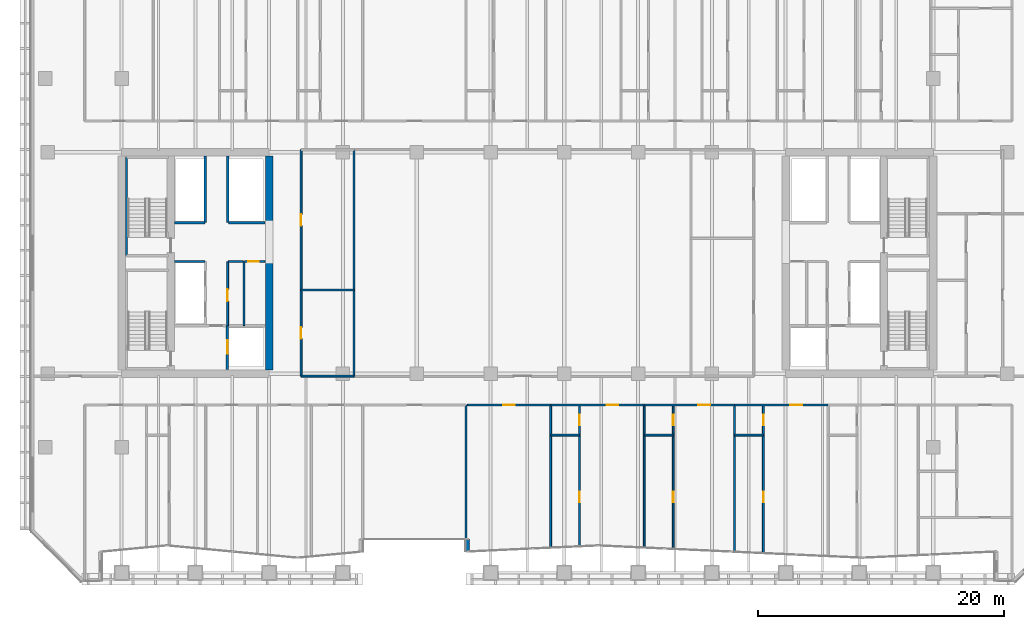
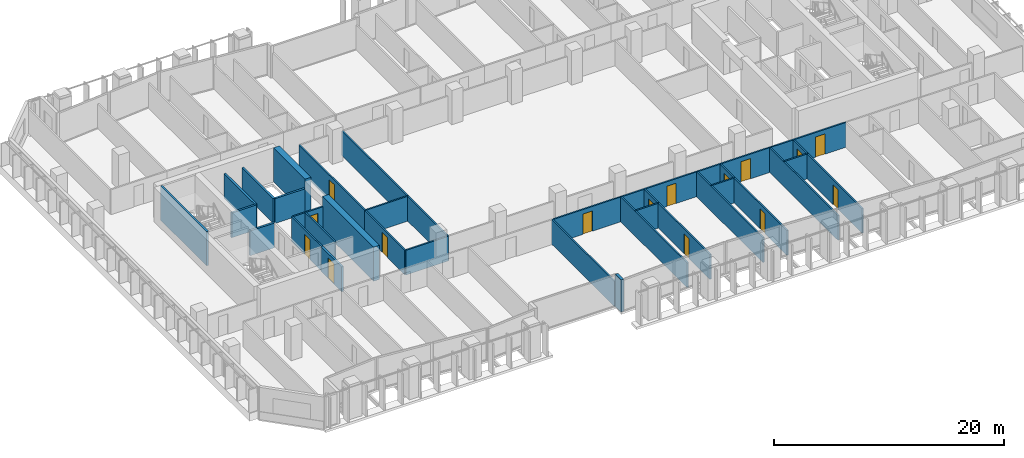
# One storey, part 21 of 32: 33 walls, 15 doors, 15 openings.
"""IFC4 building model written with IfcOpenShell, lengths in metres."""

from ifc_helpers import new_model, si_unit, direction, frame, frame_2d, origin, place, context, subcontext, project, spatial, rectangle, extrude, material, layer, layer_set, type_object, element, fill, save


model = new_model("IFC4")

# Units and contexts
model_context = context("Model", 3, precision=1e-05, world=origin(), true_north=direction((0.0, 1.0)))
body_context = subcontext(model_context, "Body", "Model", "MODEL_VIEW")
ifc_project = project(units=[si_unit("LENGTHUNIT", "METRE"), si_unit("AREAUNIT", "SQUARE_METRE"), si_unit("VOLUMEUNIT", "CUBIC_METRE"), si_unit("PLANEANGLEUNIT", "RADIAN"), si_unit("MASSUNIT", "GRAM", prefix="KILO")], contexts=[model_context])

# Site, building, storey
site_placement = place(None, origin())
site = spatial("IfcSite", under=ifc_project, at=site_placement, CompositionType="ELEMENT")
building_placement = place(site_placement, origin())
building = spatial("IfcBuilding", under=site, at=building_placement, Name="Tanjung Sevakor Pilgrim Tower", CompositionType="ELEMENT")
storey_placement = place(building_placement, frame((0.0, 0.0, 62.3701171875)))
storey = spatial("IfcBuildingStorey", under=building, at=storey_placement, Name="L17", CompositionType="ELEMENT", Elevation=62.3701171875)

# Walls
ifc_material_1 = material(Name="Concrete C60/75", Category="concrete")
ifc_layer_1 = layer(ifc_material_1, 0.60009765625)
ifc_layer_set_1 = layer_set([ifc_layer_1], Name="WALL-CW-600")
wall_type_1 = type_object("IfcWallType", Name="WALL-CW-600", PredefinedType="SHEAR", material=ifc_layer_set_1)
wall_1_placement = place(storey_placement, frame((36.0, 24.89990234375, 0.0), z_axis=(0.0, 0.0, 1.0), x_axis=(0.0, 1.0, 0.0)))
element("IfcWall", 1, at=wall_1_placement, inside=storey, type_object=wall_type_1, Name="L17 W Core Inner Shear Wall South", PredefinedType="SHEAR", context=body_context, shape_type="SweptSolid", body=[
    extrude(rectangle(XDim=8.900146484375, YDim=0.60009765625, at=frame_2d((4.4501953125, 0.0))), origin(), (0.0, 0.0, 1.0), 3.6298828125),
])
wall_2_placement = place(storey_placement, frame((36.0, 36.800048828125, 0.0), z_axis=(0.0, 0.0, 1.0), x_axis=(0.0, 1.0, 0.0)))
element("IfcWall", 2, at=wall_2_placement, inside=storey, type_object=wall_type_1, Name="L17 W Core Inner Shear Wall North", PredefinedType="SHEAR", context=body_context, shape_type="SweptSolid", body=[
    extrude(rectangle(XDim=5.5, YDim=0.60009765625, at=frame_2d((2.75, 0.0))), origin(), (0.0, 0.0, 1.0), 3.6298828125),
])
ifc_material_2 = material(Name="Concrete C40/50", Category="concrete")
ifc_layer_2 = layer(ifc_material_2, 0.14990234375)
ifc_layer_set_2 = layer_set([ifc_layer_2], Name="WT-COMP-150")
wall_type_2 = type_object("IfcWallType", Name="WT-COMP-150", PredefinedType="SOLIDWALL", material=ifc_layer_set_2)
wall_3_placement = place(storey_placement, frame((33.949951171875, 28.5, 0.0), z_axis=(0.0, 0.0, 1.0), x_axis=(0.0, 1.0, 0.0)))
element("IfcWall", 3, at=wall_3_placement, inside=storey, type_object=wall_type_2, Name="L17 Partition IW-L17-005", PredefinedType="SOLIDWALL", context=body_context, shape_type="SweptSolid", body=[
    extrude(rectangle(XDim=5.219970703125, YDim=0.14990234375, at=frame_2d((2.60986328125, 0.0))), origin(), (0.0, 0.0, 1.0), 2.6298828125),
])
wall_4_placement = place(storey_placement, frame((32.679931640625, 33.719970703125, 0.0), z_axis=(0.0, 0.0, 1.0), x_axis=(1.0, 0.0, 0.0)))
element("IfcWall", 4, at=wall_4_placement, inside=storey, type_object=wall_type_2, Name="L17 Partition IW-L17-006", PredefinedType="SOLIDWALL", context=body_context, shape_type="SweptSolid", body=[
    extrude(rectangle(XDim=1.2099609375, YDim=0.14990234375, at=frame_2d((0.60498046875, 0.0))), origin(), (0.0, 0.0, 1.0), 2.6298828125),
])

# Wall, opening, door
wall_5_placement = place(storey_placement, frame((34.010009765625, 33.719970703125, 0.0), z_axis=(0.0, 0.0, 1.0), x_axis=(1.0, 0.0, 0.0)))
wall_5 = element("IfcWall", 5, at=wall_5_placement, inside=storey, type_object=wall_type_2, Name="L17 Partition IW-L17-007", PredefinedType="SOLIDWALL", context=body_context, shape_type="SweptSolid", body=[
    extrude(rectangle(XDim=1.669921875, YDim=0.14990234375, at=frame_2d((0.8349609375, 0.0))), origin(), (0.0, 0.0, 1.0), 2.6298828125),
])
opening_1_placement = place(wall_5_placement, frame((0.280029296875, 0.0, 0.0)))
opening_1 = element("IfcOpeningElement", 6, at=opening_1_placement, cuts=wall_5, Name="Opening ID-FD3", PredefinedType="OPENING", context=body_context, shape_type="SweptSolid", body=[
    extrude(rectangle(XDim=0.85009765625, YDim=2.10009765625, at=frame_2d((0.425048828125, 1.050048828125))), frame((0.0, 0.0849609375, 0.0), z_axis=(0.0, -1.0, 0.0), x_axis=(1.0, 0.0, 0.0)), (0.0, 0.0, 1.0), 0.169921875),
])
ifc_material_3 = material(Name="Fire-Rated Timber", Category="wood")
door_type_1 = type_object("IfcDoorType", Name="DT-FIRE-850", OperationType="NOTDEFINED", PredefinedType="DOOR", material=ifc_material_3)
door_1_placement = place(opening_1_placement, origin())
door_1 = element("IfcDoor", 7, at=door_1_placement, inside=storey, type_object=door_type_1, Name="L17 Service Store Door", OperationType="SINGLE_SWING_RIGHT", OverallHeight=2.10009765625, OverallWidth=0.85009765625, PredefinedType="DOOR", context=body_context, shape_type="SweptSolid", body=[
    extrude(rectangle(XDim=0.85009765625, YDim=2.10009765625, at=frame_2d((0.425048828125, 1.050048828125))), frame((0.0, 0.02490234375, 0.0), z_axis=(0.0, -1.0, 0.0), x_axis=(1.0, 0.0, 0.0)), (0.0, 0.0, 1.0), 0.050048828125),
])
fill(opening_1, door_1)

wall_6_placement = place(storey_placement, frame((32.6201171875, 28.5, 0.0), z_axis=(0.0, 0.0, 1.0), x_axis=(0.0, 1.0, 0.0)))
wall_6 = element("IfcWall", 8, at=wall_6_placement, inside=storey, type_object=wall_type_2, Name="L17 Partition IW-L17-008", PredefinedType="SOLIDWALL", context=body_context, shape_type="SweptSolid", body=[
    extrude(rectangle(XDim=5.219970703125, YDim=0.14990234375, at=frame_2d((2.60986328125, 0.0))), origin(), (0.0, 0.0, 1.0), 2.6298828125),
])
opening_2_placement = place(wall_6_placement, frame((2.0, 0.0, 0.0)))
opening_2 = element("IfcOpeningElement", 9, at=opening_2_placement, cuts=wall_6, Name="Opening ID-FD2", PredefinedType="OPENING", context=body_context, shape_type="SweptSolid", body=[
    extrude(rectangle(XDim=0.949951171875, YDim=2.14990234375, at=frame_2d((0.47509765625, 1.074951171875))), frame((0.0, 0.0849609375, 0.0), z_axis=(0.0, -1.0, 0.0), x_axis=(1.0, 0.0, 0.0)), (0.0, 0.0, 1.0), 0.169921875),
])
ifc_material_4 = material(Name="Fire-Rated Timber", Category="wood")
door_type_2 = type_object("IfcDoorType", Name="DT-FIRE-950", OperationType="NOTDEFINED", PredefinedType="DOOR", material=ifc_material_4)
door_2_placement = place(opening_2_placement, origin())
door_2 = element("IfcDoor", 10, at=door_2_placement, inside=storey, type_object=door_type_2, Name="L17 Accessible WC Door", OperationType="SINGLE_SWING_LEFT", OverallHeight=2.14990234375, OverallWidth=0.949951171875, PredefinedType="DOOR", context=body_context, shape_type="SweptSolid", body=[
    extrude(rectangle(XDim=0.949951171875, YDim=2.14990234375, at=frame_2d((0.47509765625, 1.074951171875))), frame((0.0, 0.02490234375, 0.0), z_axis=(0.0, -1.0, 0.0), x_axis=(1.0, 0.0, 0.0)), (0.0, 0.0, 1.0), 0.050048828125),
])
fill(opening_2, door_2)

# Walls
wall_7_placement = place(storey_placement, frame((38.60009765625, 24.39990234375, 0.0), z_axis=(0.0, 0.0, 1.0), x_axis=(1.0, 0.0, 0.0)))
element("IfcWall", 11, at=wall_7_placement, inside=storey, type_object=wall_type_2, Name="L17 Partition IW-L17-025", PredefinedType="SOLIDWALL", context=body_context, shape_type="SweptSolid", body=[
    extrude(rectangle(XDim=4.2998046875, YDim=0.14990234375, at=frame_2d((2.14990234375, 0.0))), origin(), (0.0, 0.0, 1.0), 2.625244140625),
])
wall_8_placement = place(storey_placement, frame((38.60009765625, 31.39990234375, 0.0), z_axis=(0.0, 0.0, 1.0), x_axis=(1.0, 0.0, 0.0)))
element("IfcWall", 12, at=wall_8_placement, inside=storey, type_object=wall_type_2, Name="L17 Partition IW-L17-026", PredefinedType="SOLIDWALL", context=body_context, shape_type="SweptSolid", body=[
    extrude(rectangle(XDim=4.2998046875, YDim=0.14990234375, at=frame_2d((2.14990234375, 0.0))), origin(), (0.0, 0.0, 1.0), 2.6298828125),
])

# Wall, opening, door
wall_9_placement = place(storey_placement, frame((38.60009765625, 24.39990234375, 0.0), z_axis=(0.0, 0.0, 1.0), x_axis=(0.0, 1.0, 0.0)))
wall_9 = element("IfcWall", 13, at=wall_9_placement, inside=storey, type_object=wall_type_2, Name="L17 Partition IW-L17-027", PredefinedType="SOLIDWALL", context=body_context, shape_type="SweptSolid", body=[
    extrude(rectangle(XDim=7.0, YDim=0.14990234375, at=frame_2d((3.5, 0.0))), origin(), (0.0, 0.0, 1.0), 2.6298828125),
])
opening_3_placement = place(wall_9_placement, frame((3.02490234375, 0.0, 0.0)))
opening_3 = element("IfcOpeningElement", 14, at=opening_3_placement, cuts=wall_9, Name="Opening ID-RM1", PredefinedType="OPENING", context=body_context, shape_type="SweptSolid", body=[
    extrude(rectangle(XDim=0.949951171875, YDim=2.14990234375, at=frame_2d((0.47509765625, 1.074951171875))), frame((0.0, 0.0849609375, 0.0), z_axis=(0.0, -1.0, 0.0), x_axis=(1.0, 0.0, 0.0)), (0.0, 0.0, 1.0), 0.169921875),
])
ifc_material_5 = material(Name="Hardwood Timber", Category="wood")
door_type_3 = type_object("IfcDoorType", Name="DT-INT-950", OperationType="NOTDEFINED", PredefinedType="DOOR", material=ifc_material_5)
door_3_placement = place(opening_3_placement, origin())
door_3 = element("IfcDoor", 15, at=door_3_placement, inside=storey, type_object=door_type_3, Name="L17 Male Ablution Door", OperationType="SINGLE_SWING_RIGHT", OverallHeight=2.14990234375, OverallWidth=0.949951171875, PredefinedType="DOOR", context=body_context, shape_type="SweptSolid", body=[
    extrude(rectangle(XDim=0.949951171875, YDim=2.14990234375, at=frame_2d((0.47509765625, 1.074951171875))), frame((0.0, 0.02490234375, 0.0), z_axis=(0.0, -1.0, 0.0), x_axis=(1.0, 0.0, 0.0)), (0.0, 0.0, 1.0), 0.050048828125),
])
fill(opening_3, door_3)

wall_10_placement = place(storey_placement, frame((38.60009765625, 31.39990234375, 0.0), z_axis=(0.0, 0.0, 1.0), x_axis=(0.0, 1.0, 0.0)))
wall_10 = element("IfcWall", 16, at=wall_10_placement, inside=storey, type_object=wall_type_2, Name="L17 Partition IW-L17-029", PredefinedType="SOLIDWALL", context=body_context, shape_type="SweptSolid", body=[
    extrude(rectangle(XDim=11.400146484375, YDim=0.14990234375, at=frame_2d((5.7001953125, 0.0))), origin(), (0.0, 0.0, 1.0), 2.6298828125),
])
opening_4_placement = place(wall_10_placement, frame((5.22509765625, 0.0, 0.0)))
opening_4 = element("IfcOpeningElement", 17, at=opening_4_placement, cuts=wall_10, Name="Opening ID-RM1", PredefinedType="OPENING", context=body_context, shape_type="SweptSolid", body=[
    extrude(rectangle(XDim=0.949951171875, YDim=2.14990234375, at=frame_2d((0.47509765625, 1.074951171875))), frame((0.0, 0.0849609375, 0.0), z_axis=(0.0, -1.0, 0.0), x_axis=(1.0, 0.0, 0.0)), (0.0, 0.0, 1.0), 0.169921875),
])
door_4_placement = place(opening_4_placement, origin())
door_4 = element("IfcDoor", 18, at=door_4_placement, inside=storey, type_object=door_type_3, Name="L17 Male Washroom Door", OperationType="SINGLE_SWING_LEFT", OverallHeight=2.14990234375, OverallWidth=0.949951171875, PredefinedType="DOOR", context=body_context, shape_type="SweptSolid", body=[
    extrude(rectangle(XDim=0.949951171875, YDim=2.14990234375, at=frame_2d((0.47509765625, 1.074951171875))), frame((0.0, 0.02490234375, 0.0), z_axis=(0.0, -1.0, 0.0), x_axis=(1.0, 0.0, 0.0)), (0.0, 0.0, 1.0), 0.050048828125),
])
fill(opening_4, door_4)

# Walls
wall_11_placement = place(storey_placement, frame((42.89990234375, 24.39990234375, 0.0), z_axis=(0.0, 0.0, 1.0), x_axis=(0.0, 1.0, 0.0)))
element("IfcWall", 19, at=wall_11_placement, inside=storey, type_object=wall_type_2, Name="L17 Partition IW-L17-032", PredefinedType="SOLIDWALL", context=body_context, shape_type="SweptSolid", body=[
    extrude(rectangle(XDim=18.400146484375, YDim=0.14990234375, at=frame_2d((9.2001953125, 0.0))), origin(), (0.0, 0.0, 1.0), 2.6298828125),
])
wall_12_placement = place(storey_placement, frame((52.0, 11.139892578125, 0.0), z_axis=(0.0, 0.0, 1.0), x_axis=(0.0, 1.0, 0.0)))
element("IfcWall", 20, at=wall_12_placement, inside=storey, type_object=wall_type_2, Name="L17 Partition IW-L17-048", PredefinedType="SOLIDWALL", context=body_context, shape_type="SweptSolid", body=[
    extrude(rectangle(XDim=10.91015625, YDim=0.14990234375, at=frame_2d((5.455078125, 0.0))), origin(), (0.0, 0.0, 1.0), 2.6298828125),
])
wall_13_placement = place(storey_placement, frame((58.888916015625, 10.440673828125, 0.0), z_axis=(0.0, 0.0, 1.0), x_axis=(0.0, 1.0, 0.0)))
element("IfcWall", 21, at=wall_13_placement, inside=storey, type_object=wall_type_2, Name="L17 Partition IW-L17-065", PredefinedType="SOLIDWALL", context=body_context, shape_type="SweptSolid", body=[
    extrude(rectangle(XDim=11.609375, YDim=0.14990234375, at=frame_2d((5.8046875, 0.0))), origin(), (0.0, 0.0, 1.0), 2.6298828125),
])

# Wall, opening, door
wall_14_placement = place(storey_placement, frame((52.1201171875, 22.050048828125, 0.0), z_axis=(0.0, 0.0, 1.0), x_axis=(1.0, 0.0, 0.0)))
wall_14 = element("IfcWall", 22, at=wall_14_placement, inside=storey, type_object=wall_type_2, Name="L17 Partition IW-L17-066", PredefinedType="SOLIDWALL", context=body_context, shape_type="SweptSolid", body=[
    extrude(rectangle(XDim=6.768798828125, YDim=0.14990234375, at=frame_2d((3.38427734375, 0.0))), origin(), (0.0, 0.0, 1.0), 2.6298828125),
])
opening_5_placement = place(wall_14_placement, frame((2.909423828125, 0.0, 0.0)))
opening_5 = element("IfcOpeningElement", 23, at=opening_5_placement, cuts=wall_14, Name="Opening ID-FD2", PredefinedType="OPENING", context=body_context, shape_type="SweptSolid", body=[
    extrude(rectangle(XDim=0.949951171875, YDim=2.14990234375, at=frame_2d((0.47509765625, 1.074951171875))), frame((0.0, 0.0849609375, 0.0), z_axis=(0.0, -1.0, 0.0), x_axis=(1.0, 0.0, 0.0)), (0.0, 0.0, 1.0), 0.169921875),
])
door_5_placement = place(opening_5_placement, origin())
door_5 = element("IfcDoor", 24, at=door_5_placement, inside=storey, type_object=door_type_2, Name="Housekeeping Pantry Door", OperationType="SINGLE_SWING_LEFT", OverallHeight=2.14990234375, OverallWidth=0.949951171875, PredefinedType="DOOR", context=body_context, shape_type="SweptSolid", body=[
    extrude(rectangle(XDim=0.949951171875, YDim=2.14990234375, at=frame_2d((0.47509765625, 1.074951171875))), frame((0.0, 0.02490234375, 0.0), z_axis=(0.0, -1.0, 0.0), x_axis=(1.0, 0.0, 0.0)), (0.0, 0.0, 1.0), 0.050048828125),
])
fill(opening_5, door_5)

# Wall
wall_15_placement = place(storey_placement, frame((66.50390625, 10.445556640625, 0.0), z_axis=(0.0, 0.0, 1.0), x_axis=(0.0, 1.0, 0.0)))
element("IfcWall", 25, at=wall_15_placement, inside=storey, type_object=wall_type_2, Name="L17 Partition IW-L17-067", PredefinedType="SOLIDWALL", context=body_context, shape_type="SweptSolid", body=[
    extrude(rectangle(XDim=11.6044921875, YDim=0.14990234375, at=frame_2d((5.80224609375, 0.0))), origin(), (0.0, 0.0, 1.0), 2.6298828125),
])

# Wall, opening, door
wall_16_placement = place(storey_placement, frame((58.888916015625, 22.050048828125, 0.0), z_axis=(0.0, 0.0, 1.0), x_axis=(1.0, 0.0, 0.0)))
wall_16 = element("IfcWall", 26, at=wall_16_placement, inside=storey, type_object=wall_type_2, Name="L17 Partition IW-L17-070", PredefinedType="SOLIDWALL", context=body_context, shape_type="SweptSolid", body=[
    extrude(rectangle(XDim=7.614990234375, YDim=0.14990234375, at=frame_2d((3.8076171875, 0.0))), origin(), (0.0, 0.0, 1.0), 2.6298828125),
])
opening_6_placement = place(wall_16_placement, frame((4.547607421875, 0.0, 0.0)))
opening_6 = element("IfcOpeningElement", 27, at=opening_6_placement, cuts=wall_16, Name="Opening ID-FD2", PredefinedType="OPENING", context=body_context, shape_type="SweptSolid", body=[
    extrude(rectangle(XDim=0.949951171875, YDim=2.14990234375, at=frame_2d((0.47509765625, 1.074951171875))), frame((0.0, 0.0849609375, 0.0), z_axis=(0.0, -1.0, 0.0), x_axis=(1.0, 0.0, 0.0)), (0.0, 0.0, 1.0), 0.169921875),
])
door_6_placement = place(opening_6_placement, origin())
door_6 = element("IfcDoor", 28, at=door_6_placement, inside=storey, type_object=door_type_2, Name="Hostel Quad Entrance", OperationType="SINGLE_SWING_RIGHT", OverallHeight=2.14990234375, OverallWidth=0.949951171875, PredefinedType="DOOR", context=body_context, shape_type="SweptSolid", body=[
    extrude(rectangle(XDim=0.949951171875, YDim=2.14990234375, at=frame_2d((0.47509765625, 1.074951171875))), frame((0.0, 0.02490234375, 0.0), z_axis=(0.0, -1.0, 0.0), x_axis=(1.0, 0.0, 0.0)), (0.0, 0.0, 1.0), 0.050048828125),
])
fill(opening_6, door_6)

# Wall
wall_17_placement = place(storey_placement, frame((73.8369140625, 10.1044921875, 0.0), z_axis=(0.0, 0.0, 1.0), x_axis=(0.0, 1.0, 0.0)))
element("IfcWall", 29, at=wall_17_placement, inside=storey, type_object=wall_type_2, Name="L17 Partition IW-L17-071", PredefinedType="SOLIDWALL", context=body_context, shape_type="SweptSolid", body=[
    extrude(rectangle(XDim=11.945556640625, YDim=0.14990234375, at=frame_2d((5.97265625, 0.0))), origin(), (0.0, 0.0, 1.0), 2.6298828125),
])

# Wall, opening, door
wall_18_placement = place(storey_placement, frame((66.50390625, 22.050048828125, 0.0), z_axis=(0.0, 0.0, 1.0), x_axis=(1.0, 0.0, 0.0)))
wall_18 = element("IfcWall", 30, at=wall_18_placement, inside=storey, type_object=wall_type_2, Name="L17 Partition IW-L17-074", PredefinedType="SOLIDWALL", context=body_context, shape_type="SweptSolid", body=[
    extrude(rectangle(XDim=7.3330078125, YDim=0.14990234375, at=frame_2d((3.66650390625, 0.0))), origin(), (0.0, 0.0, 1.0), 2.6298828125),
])
opening_7_placement = place(wall_18_placement, frame((4.406494140625, 0.0, 0.0)))
opening_7 = element("IfcOpeningElement", 31, at=opening_7_placement, cuts=wall_18, Name="Opening ID-FD2", PredefinedType="OPENING", context=body_context, shape_type="SweptSolid", body=[
    extrude(rectangle(XDim=0.949951171875, YDim=2.14990234375, at=frame_2d((0.47509765625, 1.074951171875))), frame((0.0, 0.0849609375, 0.0), z_axis=(0.0, -1.0, 0.0), x_axis=(1.0, 0.0, 0.0)), (0.0, 0.0, 1.0), 0.169921875),
])
door_7_placement = place(opening_7_placement, origin())
door_7 = element("IfcDoor", 32, at=door_7_placement, inside=storey, type_object=door_type_2, Name="Hostel Quad Entrance", OperationType="SINGLE_SWING_LEFT", OverallHeight=2.14990234375, OverallWidth=0.949951171875, PredefinedType="DOOR", context=body_context, shape_type="SweptSolid", body=[
    extrude(rectangle(XDim=0.949951171875, YDim=2.14990234375, at=frame_2d((0.47509765625, 1.074951171875))), frame((0.0, 0.02490234375, 0.0), z_axis=(0.0, -1.0, 0.0), x_axis=(1.0, 0.0, 0.0)), (0.0, 0.0, 1.0), 0.050048828125),
])
fill(opening_7, door_7)

wall_19_placement = place(storey_placement, frame((73.8369140625, 22.050048828125, 0.0), z_axis=(0.0, 0.0, 1.0), x_axis=(1.0, 0.0, 0.0)))
wall_19 = element("IfcWall", 33, at=wall_19_placement, inside=storey, type_object=wall_type_2, Name="L17 Partition IW-L17-078", PredefinedType="SOLIDWALL", context=body_context, shape_type="SweptSolid", body=[
    extrude(rectangle(XDim=7.614990234375, YDim=0.14990234375, at=frame_2d((3.8076171875, 0.0))), origin(), (0.0, 0.0, 1.0), 2.6298828125),
])
opening_8_placement = place(wall_19_placement, frame((4.547607421875, 0.0, 0.0)))
opening_8 = element("IfcOpeningElement", 34, at=opening_8_placement, cuts=wall_19, Name="Opening ID-FD2", PredefinedType="OPENING", context=body_context, shape_type="SweptSolid", body=[
    extrude(rectangle(XDim=0.949951171875, YDim=2.14990234375, at=frame_2d((0.47509765625, 1.074951171875))), frame((0.0, 0.0849609375, 0.0), z_axis=(0.0, -1.0, 0.0), x_axis=(1.0, 0.0, 0.0)), (0.0, 0.0, 1.0), 0.169921875),
])
door_8_placement = place(opening_8_placement, origin())
door_8 = element("IfcDoor", 35, at=door_8_placement, inside=storey, type_object=door_type_2, Name="Hostel Quad Entrance", OperationType="SINGLE_SWING_RIGHT", OverallHeight=2.14990234375, OverallWidth=0.949951171875, PredefinedType="DOOR", context=body_context, shape_type="SweptSolid", body=[
    extrude(rectangle(XDim=0.949951171875, YDim=2.14990234375, at=frame_2d((0.47509765625, 1.074951171875))), frame((0.0, 0.02490234375, 0.0), z_axis=(0.0, -1.0, 0.0), x_axis=(1.0, 0.0, 0.0)), (0.0, 0.0, 1.0), 0.050048828125),
])
fill(opening_8, door_8)

# Walls
ifc_material_6 = material(Name="Precast concrete C45/55", Category="concrete")
ifc_layer_3 = layer(ifc_material_6, 0.280029296875)
ifc_layer_set_3 = layer_set([ifc_layer_3], Name="WT-EW-STN2")
wall_type_3 = type_object("IfcWallType", Name="WT-EW-STN2", PredefinedType="SOLIDWALL", material=ifc_layer_set_3)
wall_20_placement = place(storey_placement, frame((52.139892578125, 11.139892578125, 0.0), z_axis=(0.0, 0.0, 1.0), x_axis=(0.0, -1.0, 0.0)))
element("IfcWall", 36, at=wall_20_placement, inside=storey, type_object=wall_type_3, Name="L17 MAIN Exterior Wall 9", PredefinedType="SOLIDWALL", context=body_context, shape_type="SweptSolid", body=[
    extrude(rectangle(XDim=1.01318359375, YDim=0.280029296875, at=frame_2d((0.506591796875, 0.0))), origin(), (0.0, 0.0, 1.0), 3.409912109375),
])
ifc_material_7 = material(Name="Concrete C40/50", Category="concrete")
ifc_layer_4 = layer(ifc_material_7, 0.199951171875)
ifc_layer_set_4 = layer_set([ifc_layer_4], Name="WT-FIRE-200")
wall_type_4 = type_object("IfcWallType", Name="WT-FIRE-200", PredefinedType="SOLIDWALL", material=ifc_layer_set_4)
wall_21_placement = place(storey_placement, frame((24.39990234375, 42.199951171875, 0.0), z_axis=(0.0, 0.0, 1.0), x_axis=(0.0, -1.0, 0.0)))
element("IfcWall", 37, at=wall_21_placement, inside=storey, type_object=wall_type_4, Name="L17 TS-W2 Shaft Wall 3", PredefinedType="SOLIDWALL", context=body_context, shape_type="SweptSolid", body=[
    extrude(rectangle(XDim=8.0, YDim=0.199951171875, at=frame_2d((4.0, 0.0))), origin(), (0.0, 0.0, 1.0), 3.6298828125),
])

# Wall, opening, door
ifc_material_8 = material(Name="Concrete C40/50", Category="concrete")
ifc_layer_5 = layer(ifc_material_8, 0.199951171875)
ifc_layer_set_5 = layer_set([ifc_layer_5], Name="WT-FPRT-200")
wall_type_5 = type_object("IfcWallType", Name="WT-FPRT-200", PredefinedType="SOLIDWALL", material=ifc_layer_set_5)
wall_22_placement = place(storey_placement, frame((32.60009765625, 24.919921875, 0.0), z_axis=(0.0, 0.0, 1.0), x_axis=(0.0, 1.0, 0.0)))
wall_22 = element("IfcWall", 38, at=wall_22_placement, inside=storey, type_object=wall_type_5, Name="L17 Partition IW-L17-001", PredefinedType="SOLIDWALL", context=body_context, shape_type="SweptSolid", body=[
    extrude(rectangle(XDim=3.580078125, YDim=0.199951171875, at=frame_2d((1.7900390625, 0.0))), origin(), (0.0, 0.0, 1.0), 2.6298828125),
])
opening_9_placement = place(wall_22_placement, frame((1.300048828125, 0.0, 0.0)))
opening_9 = element("IfcOpeningElement", 39, at=opening_9_placement, cuts=wall_22, Name="Opening LD-1100", PredefinedType="OPENING", context=body_context, shape_type="SweptSolid", body=[
    extrude(rectangle(XDim=1.10009765625, YDim=2.199951171875, at=frame_2d((0.550048828125, 1.10009765625))), frame((0.0, 0.10986328125, 0.0), z_axis=(0.0, -1.0, 0.0), x_axis=(1.0, 0.0, 0.0)), (0.0, 0.0, 1.0), 0.219970703125),
])
ifc_material_9 = material(Name="Brushed Stainless Steel S355J2", Category="steel")
door_type_4 = type_object("IfcDoorType", Name="DT-LIFT-1100", OperationType="SLIDING_TO_LEFT", PredefinedType="DOOR", material=ifc_material_9)
door_9_placement = place(opening_9_placement, origin())
door_9 = element("IfcDoor", 40, at=door_9_placement, inside=storey, type_object=door_type_4, Name="LD-FL-W", OperationType="SLIDING_TO_LEFT", OverallHeight=2.199951171875, OverallWidth=1.10009765625, PredefinedType="DOOR", context=body_context, shape_type="SweptSolid", body=[
    extrude(rectangle(XDim=1.10009765625, YDim=2.199951171875, at=frame_2d((0.550048828125, 1.10009765625))), frame((0.0, 0.02490234375, 0.0), z_axis=(0.0, -1.0, 0.0), x_axis=(1.0, 0.0, 0.0)), (0.0, 0.0, 1.0), 0.050048828125),
])
fill(opening_9, door_9)

# Walls
for number, where, z_axis, x_axis, name in (
    (41, (28.320068359375, 33.719970703125, 0.0), (0.0, 0.0, 1.0), (1.0, 0.0, 0.0), "L17 Partition IW-L17-003"),
    (42, (28.320068359375, 36.8798828125, 0.0), (0.0, 0.0, 1.0), (1.0, 0.0, 0.0), "L17 Partition IW-L17-009"),
):
    element("IfcWall", number, at=place(storey_placement, frame(where, z_axis=z_axis, x_axis=x_axis)), inside=storey, type_object=wall_type_5, Name=name, PredefinedType="SOLIDWALL", context=body_context, shape_type="SweptSolid", body=[
        extrude(rectangle(XDim=2.47998046875, YDim=0.199951171875, at=frame_2d((1.239990234375, 0.0))), origin(), (0.0, 0.0, 1.0), 2.6298828125),
    ])
wall_23_placement = place(storey_placement, frame((30.820068359375, 36.8798828125, 0.0), z_axis=(0.0, 0.0, 1.0), x_axis=(0.0, 1.0, 0.0)))
element("IfcWall", 43, at=wall_23_placement, inside=storey, type_object=wall_type_5, Name="L17 Partition IW-L17-010", PredefinedType="SOLIDWALL", context=body_context, shape_type="SweptSolid", body=[
    extrude(rectangle(XDim=5.420166015625, YDim=0.199951171875, at=frame_2d((2.7099609375, 0.0))), origin(), (0.0, 0.0, 1.0), 2.6298828125),
])
wall_24_placement = place(storey_placement, frame((32.679931640625, 36.8798828125, 0.0), z_axis=(0.0, 0.0, 1.0), x_axis=(1.0, 0.0, 0.0)))
element("IfcWall", 44, at=wall_24_placement, inside=storey, type_object=wall_type_5, Name="L17 Partition IW-L17-011", PredefinedType="SOLIDWALL", context=body_context, shape_type="SweptSolid", body=[
    extrude(rectangle(XDim=3.0, YDim=0.199951171875, at=frame_2d((1.5, 0.0))), origin(), (0.0, 0.0, 1.0), 2.6298828125),
])
wall_25_placement = place(storey_placement, frame((32.6201171875, 36.8798828125, 0.0), z_axis=(0.0, 0.0, 1.0), x_axis=(0.0, 1.0, 0.0)))
element("IfcWall", 45, at=wall_25_placement, inside=storey, type_object=wall_type_5, Name="L17 Partition IW-L17-012", PredefinedType="SOLIDWALL", context=body_context, shape_type="SweptSolid", body=[
    extrude(rectangle(XDim=5.420166015625, YDim=0.199951171875, at=frame_2d((2.7099609375, 0.0))), origin(), (0.0, 0.0, 1.0), 2.6298828125),
])
ifc_material_10 = material(Name="Gypsum Board Partition", Category="gypsum board")
ifc_layer_6 = layer(ifc_material_10, 0.14990234375)
ifc_layer_set_6 = layer_set([ifc_layer_6], Name="WT-PART-150")
wall_type_6 = type_object("IfcWallType", Name="WT-PART-150", PredefinedType="PARTITIONING", material=ifc_layer_set_6)
wall_26_placement = place(storey_placement, frame((58.888916015625, 19.60009765625, 0.0), z_axis=(0.0, 0.0, 1.0), x_axis=(1.0, 0.0, 0.0)))
element("IfcWall", 46, at=wall_26_placement, inside=storey, type_object=wall_type_6, Name="L17 Partition IW-L17-068", PredefinedType="PARTITIONING", context=body_context, shape_type="SweptSolid", body=[
    extrude(rectangle(XDim=2.35009765625, YDim=0.14990234375, at=frame_2d((1.175048828125, 0.0))), origin(), (0.0, 0.0, 1.0), 2.6298828125),
])

# Wall, openings, doors
wall_27_placement = place(storey_placement, frame((61.239013671875, 10.5498046875, 0.0), z_axis=(0.0, 0.0, 1.0), x_axis=(0.0, 1.0, 0.0)))
wall_27 = element("IfcWall", 47, at=wall_27_placement, inside=storey, type_object=wall_type_6, Name="L17 Partition IW-L17-069", PredefinedType="PARTITIONING", context=body_context, shape_type="SweptSolid", body=[
    extrude(rectangle(XDim=11.500244140625, YDim=0.14990234375, at=frame_2d((5.75, 0.0))), origin(), (0.0, 0.0, 1.0), 2.6298828125),
])
opening_10_placement = place(wall_27_placement, frame((3.60009765625, 0.0, 0.0)))
opening_10 = element("IfcOpeningElement", 48, at=opening_10_placement, cuts=wall_27, Name="Opening ID-WC1", PredefinedType="OPENING", context=body_context, shape_type="SweptSolid", body=[
    extrude(rectangle(XDim=0.85009765625, YDim=2.10009765625, at=frame_2d((0.425048828125, 1.050048828125))), frame((0.0, 0.0849609375, 0.0), z_axis=(0.0, -1.0, 0.0), x_axis=(1.0, 0.0, 0.0)), (0.0, 0.0, 1.0), 0.169921875),
])
opening_11_placement = place(wall_27_placement, frame((9.85009765625, 0.0, 0.0)))
opening_11 = element("IfcOpeningElement", 49, at=opening_11_placement, cuts=wall_27, Name="Opening ID-WC1", PredefinedType="OPENING", context=body_context, shape_type="SweptSolid", body=[
    extrude(rectangle(XDim=0.85009765625, YDim=2.10009765625, at=frame_2d((0.425048828125, 1.050048828125))), frame((0.0, 0.0849609375, 0.0), z_axis=(0.0, -1.0, 0.0), x_axis=(1.0, 0.0, 0.0)), (0.0, 0.0, 1.0), 0.169921875),
])
ifc_material_11 = material(Name="Moisture-Resistant Timber", Category="wood")
door_type_5 = type_object("IfcDoorType", Name="DT-INT-850", OperationType="NOTDEFINED", PredefinedType="DOOR", material=ifc_material_11)
door_10_placement = place(opening_10_placement, origin())
door_10 = element("IfcDoor", 50, at=door_10_placement, inside=storey, type_object=door_type_5, Name="Study Nook Door", OperationType="SINGLE_SWING_RIGHT", OverallHeight=2.10009765625, OverallWidth=0.85009765625, PredefinedType="DOOR", context=body_context, shape_type="SweptSolid", body=[
    extrude(rectangle(XDim=0.85009765625, YDim=2.10009765625, at=frame_2d((0.425048828125, 1.050048828125))), frame((0.0, 0.02490234375, 0.0), z_axis=(0.0, -1.0, 0.0), x_axis=(1.0, 0.0, 0.0)), (0.0, 0.0, 1.0), 0.050048828125),
])
fill(opening_10, door_10)
door_11_placement = place(opening_11_placement, origin())
door_11 = element("IfcDoor", 51, at=door_11_placement, inside=storey, type_object=door_type_5, Name="Bathroom Door", OperationType="SINGLE_SWING_LEFT", OverallHeight=2.10009765625, OverallWidth=0.85009765625, PredefinedType="DOOR", context=body_context, shape_type="SweptSolid", body=[
    extrude(rectangle(XDim=0.85009765625, YDim=2.10009765625, at=frame_2d((0.425048828125, 1.050048828125))), frame((0.0, 0.02490234375, 0.0), z_axis=(0.0, -1.0, 0.0), x_axis=(1.0, 0.0, 0.0)), (0.0, 0.0, 1.0), 0.050048828125),
])
fill(opening_11, door_11)

# Wall
wall_28_placement = place(storey_placement, frame((66.50390625, 19.60009765625, 0.0), z_axis=(0.0, 0.0, 1.0), x_axis=(1.0, 0.0, 0.0)))
element("IfcWall", 52, at=wall_28_placement, inside=storey, type_object=wall_type_6, Name="L17 Partition IW-L17-072", PredefinedType="PARTITIONING", context=body_context, shape_type="SweptSolid", body=[
    extrude(rectangle(XDim=2.35009765625, YDim=0.14990234375, at=frame_2d((1.175048828125, 0.0))), origin(), (0.0, 0.0, 1.0), 2.6298828125),
])

# Wall, openings, doors
wall_29_placement = place(storey_placement, frame((68.85400390625, 10.336181640625, 0.0), z_axis=(0.0, 0.0, 1.0), x_axis=(0.0, 1.0, 0.0)))
wall_29 = element("IfcWall", 53, at=wall_29_placement, inside=storey, type_object=wall_type_6, Name="L17 Partition IW-L17-073", PredefinedType="PARTITIONING", context=body_context, shape_type="SweptSolid", body=[
    extrude(rectangle(XDim=11.7138671875, YDim=0.14990234375, at=frame_2d((5.85693359375, 0.0))), origin(), (0.0, 0.0, 1.0), 2.6298828125),
])
opening_12_placement = place(wall_29_placement, frame((3.813720703125, 0.0, 0.0)))
opening_12 = element("IfcOpeningElement", 54, at=opening_12_placement, cuts=wall_29, Name="Opening ID-WC1", PredefinedType="OPENING", context=body_context, shape_type="SweptSolid", body=[
    extrude(rectangle(XDim=0.85009765625, YDim=2.10009765625, at=frame_2d((0.425048828125, 1.050048828125))), frame((0.0, 0.0849609375, 0.0), z_axis=(0.0, -1.0, 0.0), x_axis=(1.0, 0.0, 0.0)), (0.0, 0.0, 1.0), 0.169921875),
])
opening_13_placement = place(wall_29_placement, frame((10.063720703125, 0.0, 0.0)))
opening_13 = element("IfcOpeningElement", 55, at=opening_13_placement, cuts=wall_29, Name="Opening ID-WC1", PredefinedType="OPENING", context=body_context, shape_type="SweptSolid", body=[
    extrude(rectangle(XDim=0.85009765625, YDim=2.10009765625, at=frame_2d((0.425048828125, 1.050048828125))), frame((0.0, 0.0849609375, 0.0), z_axis=(0.0, -1.0, 0.0), x_axis=(1.0, 0.0, 0.0)), (0.0, 0.0, 1.0), 0.169921875),
])
door_12_placement = place(opening_12_placement, origin())
door_12 = element("IfcDoor", 56, at=door_12_placement, inside=storey, type_object=door_type_5, Name="Study Nook Door", OperationType="SINGLE_SWING_LEFT", OverallHeight=2.10009765625, OverallWidth=0.85009765625, PredefinedType="DOOR", context=body_context, shape_type="SweptSolid", body=[
    extrude(rectangle(XDim=0.85009765625, YDim=2.10009765625, at=frame_2d((0.425048828125, 1.050048828125))), frame((0.0, 0.02490234375, 0.0), z_axis=(0.0, -1.0, 0.0), x_axis=(1.0, 0.0, 0.0)), (0.0, 0.0, 1.0), 0.050048828125),
])
fill(opening_12, door_12)
door_13_placement = place(opening_13_placement, origin())
door_13 = element("IfcDoor", 57, at=door_13_placement, inside=storey, type_object=door_type_5, Name="Bathroom Door", OperationType="SINGLE_SWING_RIGHT", OverallHeight=2.10009765625, OverallWidth=0.85009765625, PredefinedType="DOOR", context=body_context, shape_type="SweptSolid", body=[
    extrude(rectangle(XDim=0.85009765625, YDim=2.10009765625, at=frame_2d((0.425048828125, 1.050048828125))), frame((0.0, 0.02490234375, 0.0), z_axis=(0.0, -1.0, 0.0), x_axis=(1.0, 0.0, 0.0)), (0.0, 0.0, 1.0), 0.050048828125),
])
fill(opening_13, door_13)

# Wall
wall_30_placement = place(storey_placement, frame((73.8369140625, 19.60009765625, 0.0), z_axis=(0.0, 0.0, 1.0), x_axis=(1.0, 0.0, 0.0)))
element("IfcWall", 58, at=wall_30_placement, inside=storey, type_object=wall_type_6, Name="L17 Partition IW-L17-076", PredefinedType="PARTITIONING", context=body_context, shape_type="SweptSolid", body=[
    extrude(rectangle(XDim=2.35009765625, YDim=0.14990234375, at=frame_2d((1.175048828125, 0.0))), origin(), (0.0, 0.0, 1.0), 2.6298828125),
])

# Wall, openings, doors
wall_31_placement = place(storey_placement, frame((76.18701171875, 9.9951171875, 0.0), z_axis=(0.0, 0.0, 1.0), x_axis=(0.0, 1.0, 0.0)))
wall_31 = element("IfcWall", 59, at=wall_31_placement, inside=storey, type_object=wall_type_6, Name="L17 Partition IW-L17-077", PredefinedType="PARTITIONING", context=body_context, shape_type="SweptSolid", body=[
    extrude(rectangle(XDim=12.054931640625, YDim=0.14990234375, at=frame_2d((6.02734375, 0.0))), origin(), (0.0, 0.0, 1.0), 2.6298828125),
])
opening_14_placement = place(wall_31_placement, frame((4.15478515625, 0.0, 0.0)))
opening_14 = element("IfcOpeningElement", 60, at=opening_14_placement, cuts=wall_31, Name="Opening ID-WC1", PredefinedType="OPENING", context=body_context, shape_type="SweptSolid", body=[
    extrude(rectangle(XDim=0.85009765625, YDim=2.10009765625, at=frame_2d((0.425048828125, 1.050048828125))), frame((0.0, 0.0849609375, 0.0), z_axis=(0.0, -1.0, 0.0), x_axis=(1.0, 0.0, 0.0)), (0.0, 0.0, 1.0), 0.169921875),
])
opening_15_placement = place(wall_31_placement, frame((10.40478515625, 0.0, 0.0)))
opening_15 = element("IfcOpeningElement", 61, at=opening_15_placement, cuts=wall_31, Name="Opening ID-WC1", PredefinedType="OPENING", context=body_context, shape_type="SweptSolid", body=[
    extrude(rectangle(XDim=0.85009765625, YDim=2.10009765625, at=frame_2d((0.425048828125, 1.050048828125))), frame((0.0, 0.0849609375, 0.0), z_axis=(0.0, -1.0, 0.0), x_axis=(1.0, 0.0, 0.0)), (0.0, 0.0, 1.0), 0.169921875),
])
door_14_placement = place(opening_14_placement, origin())
door_14 = element("IfcDoor", 62, at=door_14_placement, inside=storey, type_object=door_type_5, Name="Study Nook Door", OperationType="SINGLE_SWING_RIGHT", OverallHeight=2.10009765625, OverallWidth=0.85009765625, PredefinedType="DOOR", context=body_context, shape_type="SweptSolid", body=[
    extrude(rectangle(XDim=0.85009765625, YDim=2.10009765625, at=frame_2d((0.425048828125, 1.050048828125))), frame((0.0, 0.02490234375, 0.0), z_axis=(0.0, -1.0, 0.0), x_axis=(1.0, 0.0, 0.0)), (0.0, 0.0, 1.0), 0.050048828125),
])
fill(opening_14, door_14)
door_15_placement = place(opening_15_placement, origin())
door_15 = element("IfcDoor", 63, at=door_15_placement, inside=storey, type_object=door_type_5, Name="Bathroom Door", OperationType="SINGLE_SWING_LEFT", OverallHeight=2.10009765625, OverallWidth=0.85009765625, PredefinedType="DOOR", context=body_context, shape_type="SweptSolid", body=[
    extrude(rectangle(XDim=0.85009765625, YDim=2.10009765625, at=frame_2d((0.425048828125, 1.050048828125))), frame((0.0, 0.02490234375, 0.0), z_axis=(0.0, -1.0, 0.0), x_axis=(1.0, 0.0, 0.0)), (0.0, 0.0, 1.0), 0.050048828125),
])
fill(opening_15, door_15)

save(model, "model.ifc")
